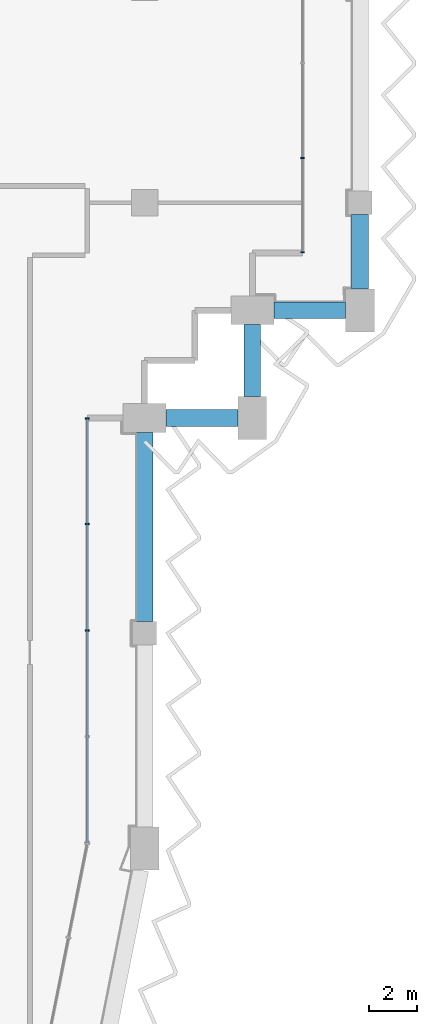
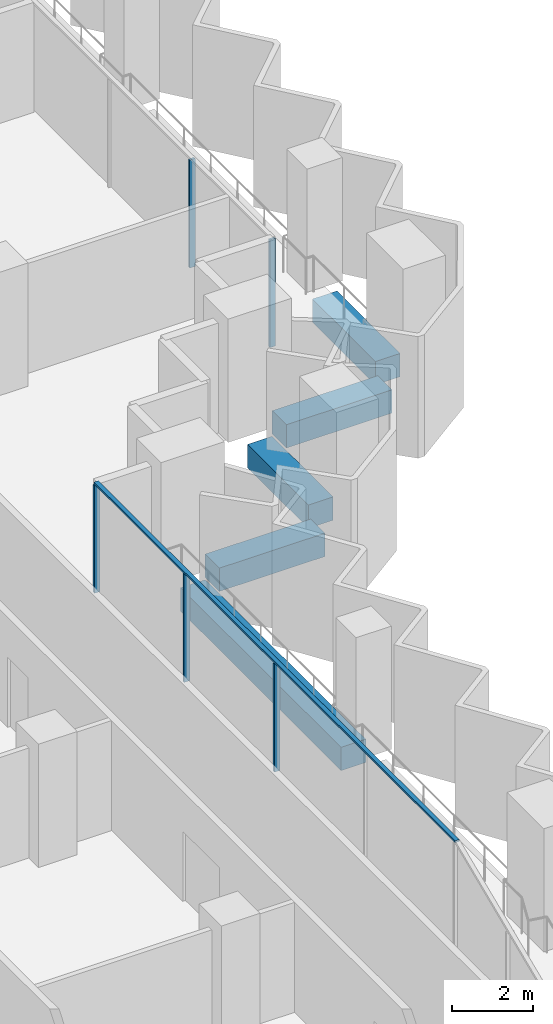
# One storey, part 5 of 19: 6 members, 5 beams, 2 elements without a shape of their own.
"""IFC4 building model written with IfcOpenShell, lengths in metres."""

import ifcopenshell
import ifcopenshell.guid

model = None  # the IFC model being written
_history = None  # IfcOwnerHistory: only IFC2X3 demands one
_inside = {}  # id of a spatial element -> (the spatial element, [elements in it])
_under = {}  # id of a project, library or spatial element -> (it, [spatial elements below it])
_declared = {}  # id of a project -> (the project, [libraries it declares])
_typed = {}  # id of a type object -> (the type object, [elements of that type])
_made_of = {}  # id of a material, layer set ... -> (it, [elements and type objects made of it])


def new_model(schema):
    """Start an empty IFC model of exactly this schema.

    Asked for "IFC4X3", IfcOpenShell would pick the latest addendum, in which some entities
    have other attributes; the version numbers below select the first issue.
    IFC2X3 requires an IfcOwnerHistory on every rooted entity: one is made here for all.
    """
    global model, _history
    if schema == "IFC4X3":
        model = ifcopenshell.file(schema_version=(4, 3, 0, 0))
    else:
        model = ifcopenshell.file(schema=schema)
    _inside.clear()
    _under.clear()
    _declared.clear()
    _typed.clear()
    _made_of.clear()
    _history = None
    if model.schema == "IFC2X3":
        org = make("IfcOrganization", Name="unknown")
        user = make(
            "IfcPersonAndOrganization",
            ThePerson=make("IfcPerson", FamilyName="unknown"),
            TheOrganization=org,
        )
        app = make(
            "IfcApplication",
            ApplicationDeveloper=org,
            Version="unknown",
            ApplicationFullName="unknown",
            ApplicationIdentifier="unknown",
        )
        _history = make(
            "IfcOwnerHistory",
            OwningUser=user,
            OwningApplication=app,
            ChangeAction="ADDED",
            CreationDate=0,
        )
    return model


def make(cls, **values):
    """One entity of the class cls with the attributes given. An attribute that is None is left unset."""
    return model.create_entity(
        cls, **{name: value for name, value in values.items() if value is not None}
    )


def rooted(cls, **values):
    """An entity with a GlobalId (a new one), such as an element, a storey or a relation."""
    return make(cls, GlobalId=ifcopenshell.guid.new(), OwnerHistory=_history, **values)


def si_unit(unit_type, name, prefix=None):
    """IfcSIUnit, for example si_unit("LENGTHUNIT", "METRE", prefix="MILLI")."""
    return make("IfcSIUnit", UnitType=unit_type, Prefix=prefix, Name=name)


def assignment(units):
    """IfcUnitAssignment: the units of a project."""
    return None if units is None else make("IfcUnitAssignment", Units=units)


def point(xyz):
    """IfcCartesianPoint."""
    return None if xyz is None else make("IfcCartesianPoint", Coordinates=xyz)


def direction(xyz):
    """IfcDirection."""
    return None if xyz is None else make("IfcDirection", DirectionRatios=xyz)


def frame(location, z_axis=None, x_axis=None):
    """IfcAxis2Placement3D, a coordinate frame: its origin and axes. An axis left out is left unset."""
    return make(
        "IfcAxis2Placement3D",
        Location=point(location),
        Axis=direction(z_axis),
        RefDirection=direction(x_axis),
    )


def frame_2d(location, x_axis=None):
    """IfcAxis2Placement2D, a coordinate frame in the plane: its origin and x axis."""
    return make(
        "IfcAxis2Placement2D", Location=point(location), RefDirection=direction(x_axis)
    )


def origin():
    """The frame at (0, 0, 0) with its axes left unset."""
    return frame((0.0, 0.0, 0.0))


def origin_2d():
    """The frame at (0, 0) in the plane with its x axis left unset."""
    return frame_2d((0.0, 0.0))


def place(relative_to, where):
    """IfcLocalPlacement: puts the frame where relative to a parent placement (None: the world)."""
    return make(
        "IfcLocalPlacement", PlacementRelTo=relative_to, RelativePlacement=where
    )


def context(
    kind, dimensions, precision=None, world=None, true_north=None, identifier=None
):
    """IfcGeometricRepresentationContext, for example the 3D "Model" context."""
    return make(
        "IfcGeometricRepresentationContext",
        ContextIdentifier=identifier,
        ContextType=kind,
        CoordinateSpaceDimension=dimensions,
        Precision=precision,
        WorldCoordinateSystem=world,
        TrueNorth=true_north,
    )


def subcontext(parent, identifier, kind, view, scale=None):
    """IfcGeometricRepresentationSubContext, for example "Body" below "Model"."""
    return make(
        "IfcGeometricRepresentationSubContext",
        ContextIdentifier=identifier,
        ContextType=kind,
        ParentContext=parent,
        TargetScale=scale,
        TargetView=view,
    )


def project(units=None, contexts=None):
    """IfcProject with its units and contexts."""
    return rooted(
        "IfcProject",
        Name="project",
        RepresentationContexts=contexts,
        UnitsInContext=assignment(units),
    )


def spatial(cls, under=None, at=None, **own):
    """A site, building, storey or space (cls), placed at a placement, below another one or the project."""
    s = rooted(cls, ObjectPlacement=at, **own)
    if under is not None:
        _under.setdefault(under.id(), (under, []))[1].append(s)
    return s


def profile(cls, at=None, kind="AREA", **sizes):
    """A parametric profile (cls). Its sizes go by their IFC names, for example OverallWidth=200.0."""
    return make(cls, ProfileType=kind, Position=at, **sizes)


def rectangle(**sizes):
    """IfcRectangleProfileDef."""
    return profile("IfcRectangleProfileDef", **sizes)


def extrude(swept, where, along, depth):
    """IfcExtrudedAreaSolid: the profile swept, set in the frame where, extruded along a direction by depth."""
    return make(
        "IfcExtrudedAreaSolid",
        SweptArea=swept,
        Position=where,
        ExtrudedDirection=direction(along),
        Depth=depth,
    )


def shape(context_of_items, identifier, shape_type, items):
    """IfcShapeRepresentation: the items that make up one representation, for example the "Body"."""
    return make(
        "IfcShapeRepresentation",
        ContextOfItems=context_of_items,
        RepresentationIdentifier=identifier,
        RepresentationType=shape_type,
        Items=items,
    )


def material(Name=None, Category=None):
    """IfcMaterial."""
    return make("IfcMaterial", Name=Name, Category=Category)


def material_profile(
    of_material, cross_section, Name=None, Category=None, Priority=None
):
    """IfcMaterialProfile: a cross section and its material."""
    return make(
        "IfcMaterialProfile",
        Name=Name,
        Material=of_material,
        Profile=cross_section,
        Priority=Priority,
        Category=Category,
    )


def profile_set(profiles, Name=None, composite=None):
    """IfcMaterialProfileSet."""
    return make(
        "IfcMaterialProfileSet",
        Name=Name,
        MaterialProfiles=profiles,
        CompositeProfile=composite,
    )


def made_of(thing, what):
    """Note that an element or type object is made of a material, layer set ...; save() writes the relation."""
    if what is not None:
        _made_of.setdefault(what.id(), (what, []))[1].append(thing)
    return thing


def type_object(cls, material=None, **own):
    """A type object (cls), such as IfcWallType, which elements share."""
    return made_of(rooted(cls, **own), material)


def element(
    cls,
    number,
    at=None,
    inside=None,
    cuts=None,
    type_object=None,
    material=None,
    context=None,
    identifier="Body",
    shape_type=None,
    held_by="IfcProductDefinitionShape",
    body=None,
    shapes=None,
    **own,
):
    """One element of the class cls, such as IfcWall. Its Tag is "e" and its number.

    at: its placement. inside: the storey or other place that contains it. cuts: it is an
    opening in that element (IfcRelVoidsElement). A single representation is given by context,
    identifier, shape_type and body (its items); several are given by shapes. held_by: the class
    of the entity that holds the representations. save() writes the other relations.
    """
    e = rooted(cls, Tag="e%d" % number, ObjectPlacement=at, **own)
    if body is not None:
        shapes = [shape(context, identifier, shape_type, body)]
    if shapes is not None:
        e.Representation = make(held_by, Representations=shapes)
    if inside is not None:
        _inside.setdefault(inside.id(), (inside, []))[1].append(e)
    if cuts is not None:
        rooted(
            "IfcRelVoidsElement", RelatingBuildingElement=cuts, RelatedOpeningElement=e
        )
    if type_object is not None:
        _typed.setdefault(type_object.id(), (type_object, []))[1].append(e)
    return made_of(e, material)


def aggregate(whole, parts):
    """IfcRelAggregates: a whole, such as a stair, and the parts it consists of."""
    return rooted("IfcRelAggregates", RelatingObject=whole, RelatedObjects=parts)


def save(model, path):
    """Write the relations noted so far, then the file.

    IfcRelAggregates (storeys below a building ...), IfcRelContainedInSpatialStructure (elements
    in a storey), IfcRelDefinesByType, IfcRelAssociatesMaterial and IfcRelDeclares: one each for
    every whole, place, type object, material and project.
    """
    for whole, parts in _under.values():
        aggregate(whole, parts)
    for where, things in _inside.values():
        rooted(
            "IfcRelContainedInSpatialStructure",
            RelatedElements=things,
            RelatingStructure=where,
        )
    for kind, things in _typed.values():
        rooted("IfcRelDefinesByType", RelatedObjects=things, RelatingType=kind)
    for what, things in _made_of.values():
        rooted("IfcRelAssociatesMaterial", RelatedObjects=things, RelatingMaterial=what)
    for by, libraries in _declared.values():
        rooted("IfcRelDeclares", RelatingContext=by, RelatedDefinitions=libraries)
    model.write(path)


model = new_model("IFC4")

# Units and contexts
model_context = context("Model", 3, precision=1e-05, world=origin(), true_north=direction((0.0, 1.0)))
body_context = subcontext(model_context, "Body", "Model", "MODEL_VIEW")
ifc_project = project(units=[si_unit("LENGTHUNIT", "METRE"), si_unit("AREAUNIT", "SQUARE_METRE"), si_unit("VOLUMEUNIT", "CUBIC_METRE"), si_unit("PLANEANGLEUNIT", "RADIAN"), si_unit("MASSUNIT", "GRAM", prefix="KILO")], contexts=[model_context])

# Site, building, storey
site_placement = place(None, origin())
site = spatial("IfcSite", under=ifc_project, at=site_placement, CompositionType="ELEMENT")
building_placement = place(site_placement, origin())
building = spatial("IfcBuilding", under=site, at=building_placement, Name="Hunhe Ridgeline Campus", CompositionType="ELEMENT")
storey_placement = place(building_placement, frame((0.0, 0.0, 219.800048828125)))
storey = spatial("IfcBuildingStorey", under=building, at=storey_placement, Name="L56", CompositionType="ELEMENT", Elevation=219.800048828125)

# Curtain wall, members
ifc_material_1 = material(Name="Aluminium 6063", Category="aluminium")
curtain_wall_type = type_object("IfcCurtainWallType", Name="Curtain wall CW-1", PredefinedType="NOTDEFINED", material=ifc_material_1)
curtain_wall_1_placement = place(storey_placement, origin())
curtain_wall_1 = element("IfcCurtainWall", 1, at=curtain_wall_1_placement, inside=storey, type_object=curtain_wall_type, Name="Curtain wall 11", PredefinedType="NOTDEFINED")
ifc_material_profile_1 = material_profile(ifc_material_1, rectangle(XDim=0.159912109375, YDim=0.06005859375, at=origin_2d()))
ifc_profile_set_1 = profile_set([ifc_material_profile_1], Name="Aluminium 6063")
member_type_1 = type_object("IfcMemberType", Name="CW-1 aluminium mullion", PredefinedType="MULLION", material=ifc_profile_set_1)
member_1_placement = place(storey_placement, frame((42.59912109375, 45.118408203125, 0.0), z_axis=(0.0, 0.0, 1.0), x_axis=(-0.999999999978, 6.642653e-06, 0.0)))
member_1 = element("IfcMember", 2, at=member_1_placement, type_object=member_type_1, Name="CW-1 mullion 3", PredefinedType="MULLION", context=body_context, shape_type="SweptSolid", body=[
    extrude(rectangle(XDim=0.159912109375, YDim=0.06005859375, at=origin_2d()), origin(), (0.0, 0.0, 1.0), 3.239990234375),
])
member_2_placement = place(storey_placement, frame((42.59912109375, 49.5595703125, 0.0), z_axis=(0.0, 0.0, 1.0), x_axis=(-0.999999999978, 6.642653e-06, 0.0)))
member_2 = element("IfcMember", 3, at=member_2_placement, type_object=member_type_1, Name="CW-1 mullion 4", PredefinedType="MULLION", context=body_context, shape_type="SweptSolid", body=[
    extrude(rectangle(XDim=0.159912109375, YDim=0.06005859375, at=origin_2d()), origin(), (0.0, 0.0, 1.0), 3.239990234375),
])
member_3_placement = place(storey_placement, frame((42.59912109375, 53.970458984375, 0.0), z_axis=(0.0, 0.0, 1.0), x_axis=(-0.999999999978, 6.642653e-06, 0.0)))
member_3 = element("IfcMember", 4, at=member_3_placement, type_object=member_type_1, Name="CW-1 mullion 5", PredefinedType="MULLION", context=body_context, shape_type="SweptSolid", body=[
    extrude(rectangle(XDim=0.159912109375, YDim=0.06005859375, at=origin_2d()), origin(), (0.0, 0.0, 1.0), 3.239990234375),
])

curtain_wall_2_placement = place(storey_placement, origin())
curtain_wall_2 = element("IfcCurtainWall", 5, at=curtain_wall_2_placement, inside=storey, type_object=curtain_wall_type, Name="Curtain wall 12", PredefinedType="NOTDEFINED")
member_4_placement = place(storey_placement, frame((51.59912109375, 60.930908203125, 0.0), z_axis=(0.0, 0.0, 1.0), x_axis=(-1.0, 0.0, 0.0)))
member_4 = element("IfcMember", 6, at=member_4_placement, type_object=member_type_1, Name="CW-1 mullion 1", PredefinedType="MULLION", context=body_context, shape_type="SweptSolid", body=[
    extrude(rectangle(XDim=0.159912109375, YDim=0.06005859375, at=origin_2d()), origin(), (0.0, 0.0, 1.0), 3.239990234375),
])
member_5_placement = place(storey_placement, frame((51.59912109375, 64.8759765625, 0.0), z_axis=(0.0, 0.0, 1.0), x_axis=(-1.0, 0.0, 0.0)))
member_5 = element("IfcMember", 7, at=member_5_placement, type_object=member_type_1, Name="CW-1 mullion 2", PredefinedType="MULLION", context=body_context, shape_type="SweptSolid", body=[
    extrude(rectangle(XDim=0.159912109375, YDim=0.06005859375, at=origin_2d()), origin(), (0.0, 0.0, 1.0), 3.239990234375),
])
aggregate(curtain_wall_2, [member_4, member_5])

# Member
ifc_material_profile_2 = material_profile(ifc_material_1, rectangle(XDim=0.1201171875, YDim=0.06005859375, at=origin_2d()))
ifc_profile_set_2 = profile_set([ifc_material_profile_2], Name="Aluminium 6063")
member_type_2 = type_object("IfcMemberType", Name="CW-1 aluminium transom", PredefinedType="USERDEFINED", material=ifc_profile_set_2)
member_6_placement = place(storey_placement, frame((42.59912109375, 36.236572265625, 3.27001953125), z_axis=(0.0, 1.0, 0.0), x_axis=(-1.0, 0.0, 0.0)))
member_6 = element("IfcMember", 8, at=member_6_placement, type_object=member_type_2, Name="CW-1 transom 1", ObjectType="TRANSOM", PredefinedType="USERDEFINED", context=body_context, shape_type="SweptSolid", body=[
    extrude(rectangle(XDim=0.1201171875, YDim=0.06005859375, at=origin_2d()), origin(), (0.0, 0.0, 1.0), 17.763916015625),
])

aggregate(curtain_wall_1, [member_6, member_1, member_2, member_3])

# Beams
ifc_material_2 = material(Name="Concrete C50", Category="concrete")
ifc_material_profile_3 = material_profile(ifc_material_2, rectangle(XDim=0.699951171875, YDim=0.699951171875, at=origin_2d()))
ifc_profile_set_3 = profile_set([ifc_material_profile_3], Name="Concrete C50")
beam_type = type_object("IfcBeamType", Name="RC spandrel beam 700x700 Concrete C50", PredefinedType="SPANDREL", material=ifc_profile_set_3)
beam_1_placement = place(storey_placement, frame((45.0, 45.5, -0.60009765625), z_axis=(0.0, 1.0, 0.0), x_axis=(-1.0, 0.0, 0.0)))
element("IfcBeam", 9, at=beam_1_placement, inside=storey, type_object=beam_type, Name="Spandrel beam B3-10 L56", PredefinedType="SPANDREL", context=body_context, shape_type="SweptSolid", body=[
    extrude(rectangle(XDim=0.699951171875, YDim=0.699951171875, at=origin_2d()), origin(), (0.0, 0.0, 1.0), 7.89990234375),
])
for number, where, z_axis, x_axis, name in (
    (10, (45.89990234375, 54.0, -0.60009765625), (1.0, 0.0, 0.0), (0.0, 1.0, 0.0), "Spandrel beam B3-11 L56"),
    (11, (49.5, 54.89990234375, -0.60009765625), (0.0, 1.0, 0.0), (-1.0, 0.0, 0.0), "Spandrel beam B3-12 L56"),
    (12, (50.39990234375, 58.5, -0.60009765625), (1.0, 0.0, 0.0), (0.0, 1.0, 0.0), "Spandrel beam B3-13 L56"),
):
    element("IfcBeam", number, at=place(storey_placement, frame(where, z_axis=z_axis, x_axis=x_axis)), inside=storey, type_object=beam_type, Name=name, PredefinedType="SPANDREL", context=body_context, shape_type="SweptSolid", body=[
        extrude(rectangle(XDim=0.699951171875, YDim=0.699951171875, at=origin_2d()), origin(), (0.0, 0.0, 1.0), 3.0),
    ])
beam_2_placement = place(storey_placement, frame((54.0, 59.39990234375, -0.60009765625), z_axis=(0.0, 1.0, 0.0), x_axis=(-1.0, 0.0, 0.0)))
element("IfcBeam", 13, at=beam_2_placement, inside=storey, type_object=beam_type, Name="Spandrel beam B3-14 L56", PredefinedType="SPANDREL", context=body_context, shape_type="SweptSolid", body=[
    extrude(rectangle(XDim=0.699951171875, YDim=0.699951171875, at=origin_2d()), origin(), (0.0, 0.0, 1.0), 3.10009765625),
])

save(model, "model.ifc")
